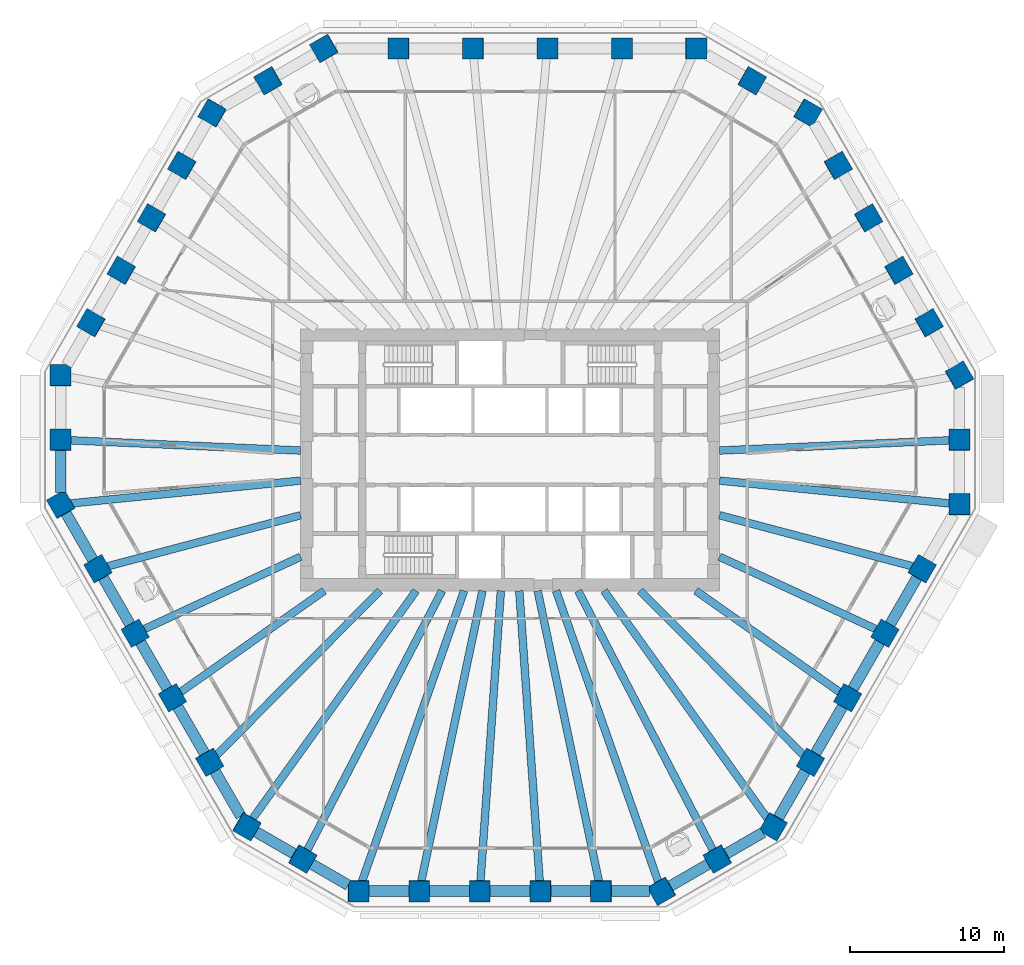
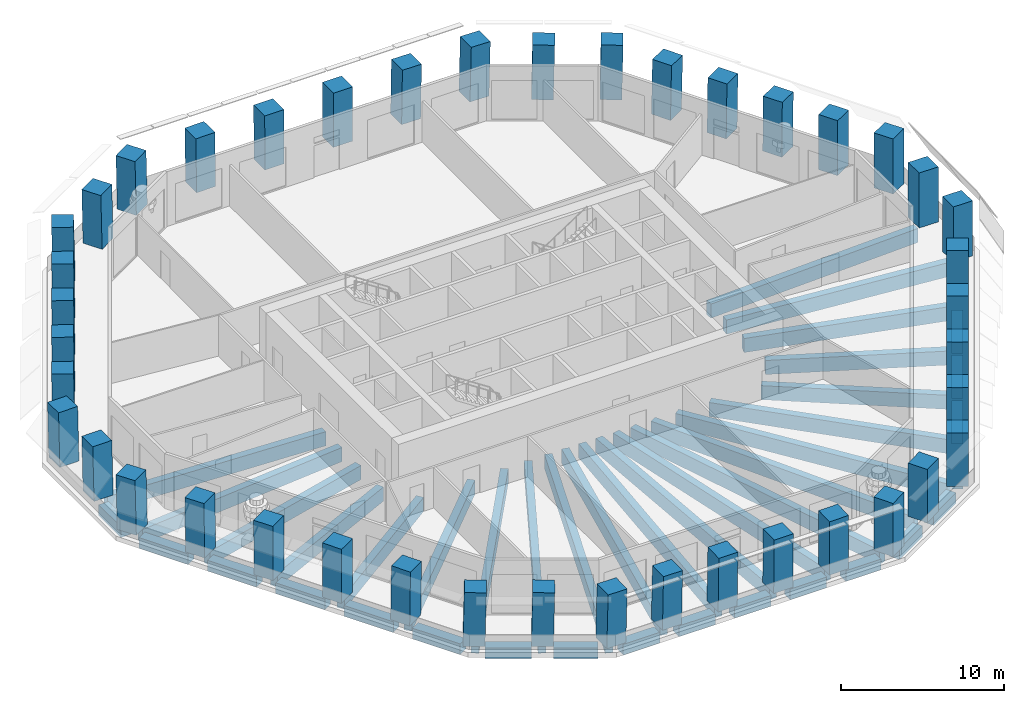
# One storey, part 1 of 12: 42 columns, 41 beams.
"""IFC4 building model written with IfcOpenShell, lengths in metres."""

from ifc_helpers import new_model, si_unit, direction, frame, origin, origin_2d, place, context, subcontext, project, spatial, rectangle, extrude, material, material_profile, profile_set, type_object, element, save


model = new_model("IFC4")

# Units and contexts
model_context = context("Model", 3, precision=1e-05, world=origin(), true_north=direction((0.0, 1.0)))
body_context = subcontext(model_context, "Body", "Model", "MODEL_VIEW")
ifc_project = project(units=[si_unit("LENGTHUNIT", "METRE"), si_unit("AREAUNIT", "SQUARE_METRE"), si_unit("VOLUMEUNIT", "CUBIC_METRE"), si_unit("PLANEANGLEUNIT", "RADIAN"), si_unit("MASSUNIT", "GRAM", prefix="KILO")], contexts=[model_context])

# Site, building, storey
site_placement = place(None, origin())
site = spatial("IfcSite", under=ifc_project, at=site_placement, CompositionType="ELEMENT")
building_placement = place(site_placement, origin())
building = spatial("IfcBuilding", under=site, at=building_placement, Name="Frailejon Research Tower", CompositionType="ELEMENT")
storey_placement = place(building_placement, frame((0.0, 0.0, 122.0)))
storey = spatial("IfcBuildingStorey", under=building, at=storey_placement, Name="L26", CompositionType="ELEMENT", Elevation=122.0)

# Columns
ifc_material_1 = material(Name="Concrete C70/85", Category="concrete")
ifc_material_profile_1 = material_profile(ifc_material_1, rectangle(XDim=1.35009765625, YDim=1.35009765625, at=origin_2d()), Name="Column 1350")
ifc_profile_set_1 = profile_set([ifc_material_profile_1], Name="Concrete C70/85")
column_type = type_object("IfcColumnType", Name="Column 1350", PredefinedType="COLUMN", material=ifc_profile_set_1)
for number, where, z_axis, x_axis, name in (
    (1, (29.160400390625, -2.892822265625, 0.0), (0.011510585918, 0.020007929448, 0.99973355909), (-0.001710817984, 0.999798725523, -0.019989535876), "Column C01"),
    (2, (29.160400390625, 1.294921875, 0.0), (0.011510599776, 0.019947688617, 0.99973476273), (-0.00040567385, 0.999801009574, -0.019944339651), "Column C02"),
    (3, (29.160400390625, 5.482421875, 0.0), (0.011510599776, 0.019947688617, 0.99973476273), (-0.500318158141, 0.865765075551, -0.011514104033), "Column C03"),
    (4, (27.19384765625, 8.88818359375, 0.0), (0.013861495168, 0.016031120499, 0.999775405842), (-0.500303350295, 0.865822326408, -0.006946709763), "Column C04"),
):
    element("IfcColumn", number, at=place(storey_placement, frame(where, z_axis=z_axis, x_axis=x_axis)), inside=storey, type_object=column_type, Name=name, PredefinedType="COLUMN", context=body_context, shape_type="SweptSolid", body=[
        extrude(rectangle(XDim=1.35009765625, YDim=1.35009765625, at=origin_2d()), origin(), (0.0, 0.0, 1.0), 4.051025390625),
    ])
for number, where, z_axis, x_axis, name in (
    (5, (25.227294921875, 12.29443359375, 0.0), (0.016152014019, 0.011993473096, 0.999797614043), (-0.4999954577, 0.866024942321, -0.002311180955), "Column C05"),
    (6, (23.260986328125, 15.700439453125, 0.0), (0.018442228312, 0.008015739756, 0.999797795622), (-0.50118016697, 0.865339885801, 0.002307006226), "Column C06"),
):
    element("IfcColumn", number, at=place(storey_placement, frame(where, z_axis=z_axis, x_axis=x_axis)), inside=storey, type_object=column_type, Name=name, PredefinedType="COLUMN", context=body_context, shape_type="SweptSolid", body=[
        extrude(rectangle(XDim=1.35009765625, YDim=1.35009765625, at=origin_2d()), origin(), (0.0, 0.0, 1.0), 4.05078125),
    ])
for number, where, z_axis, x_axis, name in (
    (7, (21.29443359375, 19.1064453125, 0.0), (0.020792253136, 0.003977648426, 0.999775905152), (-0.49881934315, 0.86667831192, 0.006925788462), "Column C07"),
    (8, (19.327880859375, 22.512451171875, 0.0), (0.023081437353, 0.0, 0.999733588137), (-0.865737098078, 0.500099755648, 0.019987781576), "Column C08"),
    (9, (15.701416015625, 24.606201171875, 0.0), (0.023081437353, 0.0, 0.999733588137), (-0.865737098078, 0.500099755648, 0.019987781576), "Column C09"),
    (10, (12.074951171875, 26.699951171875, 0.0), (0.023081437353, 0.0, 0.999733588137), (-0.999733588137, 0.0, 0.023081437353), "Column C10"),
):
    element("IfcColumn", number, at=place(storey_placement, frame(where, z_axis=z_axis, x_axis=x_axis)), inside=storey, type_object=column_type, Name=name, PredefinedType="COLUMN", context=body_context, shape_type="SweptSolid", body=[
        extrude(rectangle(XDim=1.35009765625, YDim=1.35009765625, at=origin_2d()), origin(), (0.0, 0.0, 1.0), 4.051025390625),
    ])
column_1_placement = place(storey_placement, frame((7.2451171875, 26.699951171875, 0.0), z_axis=(0.013803013084, 0.0, 0.999904733877), x_axis=(-0.999904733877, 0.0, 0.013803013084)))
element("IfcColumn", 11, at=column_1_placement, inside=storey, type_object=column_type, Name="Column C11", PredefinedType="COLUMN", context=body_context, shape_type="SweptSolid", body=[
    extrude(rectangle(XDim=1.35009765625, YDim=1.35009765625, at=origin_2d()), origin(), (0.0, 0.0, 1.0), 4.050537109375),
])
for number, where, z_axis, x_axis, name in (
    (12, (2.4150390625, 26.699951171875, 0.0), (0.004581301009, 0.0, 0.999989505785), (-0.999989505785, 0.0, 0.004581301009), "Column C12"),
    (13, (-2.4150390625, 26.699951171875, 0.0), (-0.004581301009, 0.0, 0.999989505785), (-0.999989505785, 0.0, -0.004581301009), "Column C13"),
):
    element("IfcColumn", number, at=place(storey_placement, frame(where, z_axis=z_axis, x_axis=x_axis)), inside=storey, type_object=column_type, Name=name, PredefinedType="COLUMN", context=body_context, shape_type="SweptSolid", body=[
        extrude(rectangle(XDim=1.35009765625, YDim=1.35009765625, at=origin_2d()), origin(), (0.0, 0.0, 1.0), 4.050048828125),
    ])
column_2_placement = place(storey_placement, frame((-7.2451171875, 26.699951171875, 0.0), z_axis=(-0.013803013084, 0.0, 0.999904733877), x_axis=(-0.999904733877, 0.0, -0.013803013084)))
element("IfcColumn", 14, at=column_2_placement, inside=storey, type_object=column_type, Name="Column C14", PredefinedType="COLUMN", context=body_context, shape_type="SweptSolid", body=[
    extrude(rectangle(XDim=1.35009765625, YDim=1.35009765625, at=origin_2d()), origin(), (0.0, 0.0, 1.0), 4.050537109375),
])
for number, where, z_axis, x_axis, name in (
    (15, (-12.074951171875, 26.699951171875, 0.0), (-0.023081437353, 0.0, 0.999733588137), (-0.865737098078, -0.500099755648, -0.019987781576), "Column C15"),
    (16, (-15.701416015625, 24.606201171875, 0.0), (-0.023081437353, 0.0, 0.999733588137), (-0.865737098078, -0.500099755648, -0.019987781576), "Column C16"),
    (17, (-19.327880859375, 22.512451171875, 0.0), (-0.023081437353, 0.0, 0.999733588137), (-0.499767058364, -0.866082993904, -0.01153841602), "Column C17"),
    (18, (-21.29443359375, 19.1064453125, 0.0), (-0.020792253136, 0.003977648426, 0.999775905152), (-0.49881934315, -0.86667831192, -0.006925788462), "Column C18"),
):
    element("IfcColumn", number, at=place(storey_placement, frame(where, z_axis=z_axis, x_axis=x_axis)), inside=storey, type_object=column_type, Name=name, PredefinedType="COLUMN", context=body_context, shape_type="SweptSolid", body=[
        extrude(rectangle(XDim=1.35009765625, YDim=1.35009765625, at=origin_2d()), origin(), (0.0, 0.0, 1.0), 4.051025390625),
    ])
for number, where, z_axis, x_axis, name in (
    (19, (-23.260986328125, 15.700439453125, 0.0), (-0.018442228312, 0.008015739756, 0.999797795622), (-0.50118016697, -0.865339885801, -0.002307006226), "Column C19"),
    (20, (-25.227294921875, 12.29443359375, 0.0), (-0.016152014019, 0.011993473096, 0.999797614043), (-0.4999954577, -0.866024942321, 0.002311180955), "Column C20"),
):
    element("IfcColumn", number, at=place(storey_placement, frame(where, z_axis=z_axis, x_axis=x_axis)), inside=storey, type_object=column_type, Name=name, PredefinedType="COLUMN", context=body_context, shape_type="SweptSolid", body=[
        extrude(rectangle(XDim=1.35009765625, YDim=1.35009765625, at=origin_2d()), origin(), (0.0, 0.0, 1.0), 4.05078125),
    ])
for number, where, z_axis, x_axis, name in (
    (21, (-27.19384765625, 8.88818359375, 0.0), (-0.013861495168, 0.016031120499, 0.999775405842), (-0.500303350295, -0.865822326408, 0.006946709763), "Column C21"),
    (22, (-29.160400390625, 5.482421875, 0.0), (-0.011510599776, 0.019947688617, 0.99973476273), (-0.00040567385, -0.999801009574, 0.019944339651), "Column C22"),
    (23, (-29.160400390625, 1.294921875, 0.0), (-0.011510599776, 0.019947688617, 0.99973476273), (-0.00040567385, -0.999801009574, 0.019944339651), "Column C23"),
    (24, (-29.160400390625, -2.892822265625, 0.0), (-0.011510585918, 0.020007929448, 0.99973355909), (0.498584379336, -0.866533788063, 0.023082695406), "Column C24"),
):
    element("IfcColumn", number, at=place(storey_placement, frame(where, z_axis=z_axis, x_axis=x_axis)), inside=storey, type_object=column_type, Name=name, PredefinedType="COLUMN", context=body_context, shape_type="SweptSolid", body=[
        extrude(rectangle(XDim=1.35009765625, YDim=1.35009765625, at=origin_2d()), origin(), (0.0, 0.0, 1.0), 4.051025390625),
    ])
column_3_placement = place(storey_placement, frame((-26.745361328125, -7.07568359375, 0.0), z_axis=(-0.006931639278, 0.011994749706, 0.999904034574), x_axis=(0.501336845051, -0.865141286973, 0.013853568828)))
element("IfcColumn", 25, at=column_3_placement, inside=storey, type_object=column_type, Name="Column C25", PredefinedType="COLUMN", context=body_context, shape_type="SweptSolid", body=[
    extrude(rectangle(XDim=1.35009765625, YDim=1.35009765625, at=origin_2d()), origin(), (0.0, 0.0, 1.0), 4.050537109375),
])
for number, where, z_axis, x_axis, name in (
    (26, (-24.330322265625, -11.258544921875, 0.0), (-0.002290650405, 0.003978498071, 0.999989462181), (0.501227796916, -0.865303195543, 0.004590793127), "Column C26"),
    (27, (-21.915283203125, -15.44140625, 0.0), (0.002290650405, -0.003978498071, 0.999989462181), (0.497533699037, -0.86743250046, -0.004590802676), "Column C27"),
):
    element("IfcColumn", number, at=place(storey_placement, frame(where, z_axis=z_axis, x_axis=x_axis)), inside=storey, type_object=column_type, Name=name, PredefinedType="COLUMN", context=body_context, shape_type="SweptSolid", body=[
        extrude(rectangle(XDim=1.35009765625, YDim=1.35009765625, at=origin_2d()), origin(), (0.0, 0.0, 1.0), 4.050048828125),
    ])
column_4_placement = place(storey_placement, frame((-19.50048828125, -19.624267578125, 0.0), z_axis=(0.006931639278, -0.011994749706, 0.999904034574), x_axis=(0.500107116888, -0.865852729975, -0.013853578378)))
element("IfcColumn", 28, at=column_4_placement, inside=storey, type_object=column_type, Name="Column C28", PredefinedType="COLUMN", context=body_context, shape_type="SweptSolid", body=[
    extrude(rectangle(XDim=1.35009765625, YDim=1.35009765625, at=origin_2d()), origin(), (0.0, 0.0, 1.0), 4.050537109375),
])
for number, where, z_axis, x_axis, name in (
    (29, (-17.08544921875, -23.80712890625, 0.0), (0.011570842718, -0.020007915533, 0.999732863777), (0.866356612801, -0.499024697371, -0.020014266634), "Column C29"),
    (30, (-13.458984375, -25.90087890625, 0.0), (0.011570842718, -0.020007915533, 0.999732863777), (0.866356612801, -0.499024697371, -0.020014266634), "Column C30"),
    (31, (-9.832275390625, -27.994873046875, 0.0), (0.011570856649, -0.019947674743, 0.999734067414), (0.999930876531, 0.002317998362, -0.011526883527), "Column C31"),
    (32, (-5.8994140625, -27.994873046875, 0.0), (0.006930758535, -0.019948531086, 0.999776985479), (0.999975700355, 0.000888653495, -0.0069144048), "Column C32"),
):
    element("IfcColumn", number, at=place(storey_placement, frame(where, z_axis=z_axis, x_axis=x_axis)), inside=storey, type_object=column_type, Name=name, PredefinedType="COLUMN", context=body_context, shape_type="SweptSolid", body=[
        extrude(rectangle(XDim=1.35009765625, YDim=1.35009765625, at=origin_2d()), origin(), (0.0, 0.0, 1.0), 4.051025390625),
    ])
for number, where, z_axis, x_axis, name in (
    (33, (-1.966552734375, -27.994873046875, 0.0), (0.002350481116, -0.019948955115, 0.99979823686), (0.999995453304, 0.001935595242, -0.002312323868), "Column C33"),
    (34, (1.966552734375, -27.994873046875, 0.0), (-0.002350481116, -0.019948955115, 0.99979823686), (0.999995453304, -0.001935595242, 0.002312323868), "Column C34"),
):
    element("IfcColumn", number, at=place(storey_placement, frame(where, z_axis=z_axis, x_axis=x_axis)), inside=storey, type_object=column_type, Name=name, PredefinedType="COLUMN", context=body_context, shape_type="SweptSolid", body=[
        extrude(rectangle(XDim=1.35009765625, YDim=1.35009765625, at=origin_2d()), origin(), (0.0, 0.0, 1.0), 4.05078125),
    ])
for number, where, z_axis, x_axis, name in (
    (35, (5.8994140625, -27.994873046875, 0.0), (-0.006930758535, -0.019948531086, 0.999776985479), (0.999975700355, -0.000888653495, 0.0069144048), "Column C35"),
    (36, (9.832275390625, -27.994873046875, 0.0), (-0.011570856649, -0.019947674743, 0.999734067414), (0.867009264808, 0.497891723654, 0.01996913252), "Column C36"),
    (37, (13.458984375, -25.90087890625, 0.0), (-0.011570842718, -0.020007915533, 0.999732863777), (0.866356612801, 0.499024697371, 0.020014266634), "Column C37"),
    (38, (17.08544921875, -23.80712890625, 0.0), (-0.011570842718, -0.020007915533, 0.999732863777), (0.500541207929, 0.865404124142, 0.023112790472), "Column C38"),
):
    element("IfcColumn", number, at=place(storey_placement, frame(where, z_axis=z_axis, x_axis=x_axis)), inside=storey, type_object=column_type, Name=name, PredefinedType="COLUMN", context=body_context, shape_type="SweptSolid", body=[
        extrude(rectangle(XDim=1.35009765625, YDim=1.35009765625, at=origin_2d()), origin(), (0.0, 0.0, 1.0), 4.051025390625),
    ])
column_5_placement = place(storey_placement, frame((19.50048828125, -19.624267578125, 0.0), z_axis=(-0.006931639278, -0.011994749706, 0.999904034574), x_axis=(0.500107116888, 0.865852729975, 0.013853578378)))
element("IfcColumn", 39, at=column_5_placement, inside=storey, type_object=column_type, Name="Column C39", PredefinedType="COLUMN", context=body_context, shape_type="SweptSolid", body=[
    extrude(rectangle(XDim=1.35009765625, YDim=1.35009765625, at=origin_2d()), origin(), (0.0, 0.0, 1.0), 4.050537109375),
])
for number, where, z_axis, x_axis, name in (
    (40, (21.915283203125, -15.44140625, 0.0), (-0.002290650405, -0.003978498071, 0.999989462181), (0.497533699037, 0.86743250046, 0.004590802676), "Column C40"),
    (41, (24.330322265625, -11.258544921875, 0.0), (0.002290650405, 0.003978498071, 0.999989462181), (0.501227796916, 0.865303195543, -0.004590793127), "Column C41"),
):
    element("IfcColumn", number, at=place(storey_placement, frame(where, z_axis=z_axis, x_axis=x_axis)), inside=storey, type_object=column_type, Name=name, PredefinedType="COLUMN", context=body_context, shape_type="SweptSolid", body=[
        extrude(rectangle(XDim=1.35009765625, YDim=1.35009765625, at=origin_2d()), origin(), (0.0, 0.0, 1.0), 4.050048828125),
    ])
column_6_placement = place(storey_placement, frame((26.745361328125, -7.07568359375, 0.0), z_axis=(0.006931639278, 0.011994749706, 0.999904034574), x_axis=(0.501336845051, 0.865141286973, -0.013853568828)))
element("IfcColumn", 42, at=column_6_placement, inside=storey, type_object=column_type, Name="Column C42", PredefinedType="COLUMN", context=body_context, shape_type="SweptSolid", body=[
    extrude(rectangle(XDim=1.35009765625, YDim=1.35009765625, at=origin_2d()), origin(), (0.0, 0.0, 1.0), 4.050537109375),
])

# Beams
ifc_material_2 = material(Name="Concrete C60/75", Category="concrete")
ifc_material_profile_2 = material_profile(ifc_material_2, rectangle(XDim=0.5, YDim=1.050048828125, at=origin_2d()), Name="Girder 500x1050")
ifc_profile_set_2 = profile_set([ifc_material_profile_2], Name="Concrete C60/75")
beam_type_1 = type_object("IfcBeamType", Name="Girder 500x1050", PredefinedType="BEAM", material=ifc_profile_set_2)
beam_1_placement = place(storey_placement, frame((28.634521484375, -2.840576171875, -0.824951171875), z_axis=(-0.995115437462, 0.098718114474, 0.0), x_axis=(-0.098718114474, -0.995115437462, 0.0)))
element("IfcBeam", 43, at=beam_1_placement, inside=storey, type_object=beam_type_1, Name="Girder 500x1050", PredefinedType="BEAM", context=body_context, shape_type="SweptSolid", body=[
    extrude(rectangle(XDim=0.5, YDim=1.050048828125, at=origin_2d()), origin(), (0.0, 0.0, 1.0), 15.108154296875),
])
for number, where, z_axis, x_axis, name in (
    (44, (28.63525390625, 1.271484375, -0.824951171875), (-0.999016011873, -0.044350964154, 0.0), (0.044350964154, -0.999016011873, 0.0), "Girder 500x1050"),
    (45, (-28.63525390625, 1.271484375, -0.824951171875), (0.999016011873, -0.044350964154, 0.0), (0.044350964154, 0.999016011873, 0.0), "Girder 500x1050"),
):
    element("IfcBeam", number, at=place(storey_placement, frame(where, z_axis=z_axis, x_axis=x_axis)), inside=storey, type_object=beam_type_1, Name=name, PredefinedType="BEAM", context=body_context, shape_type="SweptSolid", body=[
        extrude(rectangle(XDim=0.5, YDim=1.050048828125, at=origin_2d()), origin(), (0.0, 0.0, 1.0), 15.050048828125),
    ])
beam_2_placement = place(storey_placement, frame((-28.572509765625, -2.83447265625, -0.824951171875), z_axis=(0.995115122671, 0.098721287628, 0.0), x_axis=(-0.098721287628, 0.995115122671, 0.0)))
element("IfcBeam", 46, at=beam_2_placement, inside=storey, type_object=beam_type_1, Name="Girder 500x1050", PredefinedType="BEAM", context=body_context, shape_type="SweptSolid", body=[
    extrude(rectangle(XDim=0.5, YDim=1.050048828125, at=origin_2d()), origin(), (0.0, 0.0, 1.0), 15.0458984375),
])
beam_3_placement = place(storey_placement, frame((-26.21435546875, -6.935302734375, -0.824951171875), z_axis=(0.966736803064, 0.255773246456, 0.0), x_axis=(-0.255773246456, 0.966736803064, 0.0)))
element("IfcBeam", 47, at=beam_3_placement, inside=storey, type_object=beam_type_1, Name="Girder 500x1050", PredefinedType="BEAM", context=body_context, shape_type="SweptSolid", body=[
    extrude(rectangle(XDim=0.5, YDim=1.050048828125, at=origin_2d()), origin(), (0.0, 0.0, 1.0), 13.04833984375),
])
beam_4_placement = place(storey_placement, frame((-23.851318359375, -11.037109375, -0.824951171875), z_axis=(0.907535715602, 0.419974909854, 0.0), x_axis=(-0.419974909854, 0.907535715602, 0.0)))
element("IfcBeam", 48, at=beam_4_placement, inside=storey, type_object=beam_type_1, Name="Girder 500x1050", PredefinedType="BEAM", context=body_context, shape_type="SweptSolid", body=[
    extrude(rectangle(XDim=0.5, YDim=1.050048828125, at=origin_2d()), origin(), (0.0, 0.0, 1.0), 11.295654296875),
])
beam_5_placement = place(storey_placement, frame((-21.48388671875, -15.137451171875, -0.824951171875), z_axis=(0.817461348978, 0.575983457164, 0.0), x_axis=(-0.575983457164, 0.817461348978, 0.0)))
element("IfcBeam", 49, at=beam_5_placement, inside=storey, type_object=beam_type_1, Name="Girder 500x1050", PredefinedType="BEAM", context=body_context, shape_type="SweptSolid", body=[
    extrude(rectangle(XDim=0.5, YDim=1.050048828125, at=origin_2d()), origin(), (0.0, 0.0, 1.0), 11.523681640625),
])
beam_6_placement = place(storey_placement, frame((-19.113037109375, -19.234619140625, -0.824951171875), z_axis=(0.704860757928, 0.709345692828, 0.0), x_axis=(-0.709345692828, 0.704860757928, 0.0)))
element("IfcBeam", 50, at=beam_6_placement, inside=storey, type_object=beam_type_1, Name="Girder 500x1050", PredefinedType="BEAM", context=body_context, shape_type="SweptSolid", body=[
    extrude(rectangle(XDim=0.5, YDim=1.050048828125, at=origin_2d()), origin(), (0.0, 0.0, 1.0), 15.133056640625),
])
beam_7_placement = place(storey_placement, frame((-16.77734375, -23.3779296875, -0.824951171875), z_axis=(0.583050227004, 0.812436109975, 0.0), x_axis=(-0.812436109975, 0.583050227004, 0.0)))
element("IfcBeam", 51, at=beam_7_placement, inside=storey, type_object=beam_type_1, Name="Girder 500x1050", PredefinedType="BEAM", context=body_context, shape_type="SweptSolid", body=[
    extrude(rectangle(XDim=0.5, YDim=1.050048828125, at=origin_2d()), origin(), (0.0, 0.0, 1.0), 18.312744140625),
])
beam_8_placement = place(storey_placement, frame((-13.216552734375, -25.4345703125, -0.824951171875), z_axis=(0.461098153651, 0.887349137994, 0.0), x_axis=(-0.887349137994, 0.461098153651, 0.0)))
element("IfcBeam", 52, at=beam_8_placement, inside=storey, type_object=beam_type_1, Name="Girder 500x1050", PredefinedType="BEAM", context=body_context, shape_type="SweptSolid", body=[
    extrude(rectangle(XDim=0.5, YDim=1.050048828125, at=origin_2d()), origin(), (0.0, 0.0, 1.0), 19.08447265625),
])
beam_9_placement = place(storey_placement, frame((-9.64501953125, -27.461181640625, -0.824951171875), z_axis=(0.331381073753, 0.943496997324, 0.0), x_axis=(-0.943496997324, 0.331381073753, 0.0)))
element("IfcBeam", 53, at=beam_9_placement, inside=storey, type_object=beam_type_1, Name="Girder 500x1050", PredefinedType="BEAM", context=body_context, shape_type="SweptSolid", body=[
    extrude(rectangle(XDim=0.5, YDim=1.050048828125, at=origin_2d()), origin(), (0.0, 0.0, 1.0), 20.0966796875),
])
beam_10_placement = place(storey_placement, frame((-5.7880859375, -27.466552734375, -0.824951171875), z_axis=(0.206201548423, 0.978509540796, 0.0), x_axis=(-0.978509540796, 0.206201548423, 0.0)))
element("IfcBeam", 54, at=beam_10_placement, inside=storey, type_object=beam_type_1, Name="Girder 500x1050", PredefinedType="BEAM", context=body_context, shape_type="SweptSolid", body=[
    extrude(rectangle(XDim=0.5, YDim=1.050048828125, at=origin_2d()), origin(), (0.0, 0.0, 1.0), 19.383056640625),
])
for number, where, z_axis, x_axis, name in (
    (55, (-1.9296875, -27.469482421875, -0.824951171875), (0.070072762793, 0.997541882787, 0.0), (-0.997541882787, 0.070072762793, 0.0), "Girder 500x1050"),
    (56, (1.9296875, -27.469482421875, -0.824951171875), (-0.070072762793, 0.997541882787, 0.0), (-0.997541882787, -0.070072762793, 0.0), "Girder 500x1050"),
):
    element("IfcBeam", number, at=place(storey_placement, frame(where, z_axis=z_axis, x_axis=x_axis)), inside=storey, type_object=beam_type_1, Name=name, PredefinedType="BEAM", context=body_context, shape_type="SweptSolid", body=[
        extrude(rectangle(XDim=0.5, YDim=1.050048828125, at=origin_2d()), origin(), (0.0, 0.0, 1.0), 19.01611328125),
    ])
beam_11_placement = place(storey_placement, frame((5.7880859375, -27.466552734375, -0.824951171875), z_axis=(-0.206201548423, 0.978509540796, 0.0), x_axis=(-0.978509540796, -0.206201548423, 0.0)))
element("IfcBeam", 57, at=beam_11_placement, inside=storey, type_object=beam_type_1, Name="Girder 500x1050", PredefinedType="BEAM", context=body_context, shape_type="SweptSolid", body=[
    extrude(rectangle(XDim=0.5, YDim=1.050048828125, at=origin_2d()), origin(), (0.0, 0.0, 1.0), 19.383056640625),
])
beam_12_placement = place(storey_placement, frame((9.654296875, -27.48828125, -0.824951171875), z_axis=(-0.331370424627, 0.94350073751, 0.0), x_axis=(-0.94350073751, -0.331370424627, 0.0)))
element("IfcBeam", 58, at=beam_12_placement, inside=storey, type_object=beam_type_1, Name="Girder 500x1050", PredefinedType="BEAM", context=body_context, shape_type="SweptSolid", body=[
    extrude(rectangle(XDim=0.5, YDim=1.050048828125, at=origin_2d()), origin(), (0.0, 0.0, 1.0), 20.125244140625),
])
beam_13_placement = place(storey_placement, frame((13.216552734375, -25.4345703125, -0.824951171875), z_axis=(-0.461098153651, 0.887349137994, 0.0), x_axis=(-0.887349137994, -0.461098153651, 0.0)))
element("IfcBeam", 59, at=beam_13_placement, inside=storey, type_object=beam_type_1, Name="Girder 500x1050", PredefinedType="BEAM", context=body_context, shape_type="SweptSolid", body=[
    extrude(rectangle(XDim=0.5, YDim=1.050048828125, at=origin_2d()), origin(), (0.0, 0.0, 1.0), 19.08447265625),
])
beam_14_placement = place(storey_placement, frame((16.740966796875, -23.3271484375, -0.824951171875), z_axis=(-0.58305263396, 0.812434382601, 0.0), x_axis=(-0.812434382601, -0.58305263396, 0.0)))
element("IfcBeam", 60, at=beam_14_placement, inside=storey, type_object=beam_type_1, Name="Girder 500x1050", PredefinedType="BEAM", context=body_context, shape_type="SweptSolid", body=[
    extrude(rectangle(XDim=0.5, YDim=1.050048828125, at=origin_2d()), origin(), (0.0, 0.0, 1.0), 18.250244140625),
])
beam_15_placement = place(storey_placement, frame((19.113037109375, -19.234619140625, -0.824951171875), z_axis=(-0.704860757928, 0.709345692828, 0.0), x_axis=(-0.709345692828, -0.704860757928, 0.0)))
element("IfcBeam", 61, at=beam_15_placement, inside=storey, type_object=beam_type_1, Name="Girder 500x1050", PredefinedType="BEAM", context=body_context, shape_type="SweptSolid", body=[
    extrude(rectangle(XDim=0.5, YDim=1.050048828125, at=origin_2d()), origin(), (0.0, 0.0, 1.0), 15.133056640625),
])
beam_16_placement = place(storey_placement, frame((21.48388671875, -15.137451171875, -0.824951171875), z_axis=(-0.817461348978, 0.575983457164, 0.0), x_axis=(-0.575983457164, -0.817461348978, 0.0)))
element("IfcBeam", 62, at=beam_16_placement, inside=storey, type_object=beam_type_1, Name="Girder 500x1050", PredefinedType="BEAM", context=body_context, shape_type="SweptSolid", body=[
    extrude(rectangle(XDim=0.5, YDim=1.050048828125, at=origin_2d()), origin(), (0.0, 0.0, 1.0), 11.523681640625),
])
beam_17_placement = place(storey_placement, frame((23.851318359375, -11.037109375, -0.824951171875), z_axis=(-0.907535715602, 0.419974909854, 0.0), x_axis=(-0.419974909854, -0.907535715602, 0.0)))
element("IfcBeam", 63, at=beam_17_placement, inside=storey, type_object=beam_type_1, Name="Girder 500x1050", PredefinedType="BEAM", context=body_context, shape_type="SweptSolid", body=[
    extrude(rectangle(XDim=0.5, YDim=1.050048828125, at=origin_2d()), origin(), (0.0, 0.0, 1.0), 11.295654296875),
])
beam_18_placement = place(storey_placement, frame((26.21435546875, -6.935302734375, -0.824951171875), z_axis=(-0.966736803064, 0.255773246456, 0.0), x_axis=(-0.255773246456, -0.966736803064, 0.0)))
element("IfcBeam", 64, at=beam_18_placement, inside=storey, type_object=beam_type_1, Name="Girder 500x1050", PredefinedType="BEAM", context=body_context, shape_type="SweptSolid", body=[
    extrude(rectangle(XDim=0.5, YDim=1.050048828125, at=origin_2d()), origin(), (0.0, 0.0, 1.0), 13.04833984375),
])
ifc_material_3 = material(Name="Concrete C60/75", Category="concrete")
ifc_material_profile_3 = material_profile(ifc_material_3, rectangle(XDim=0.699951171875, YDim=0.800048828125, at=origin_2d()), Name="Spandrel 700x800")
ifc_profile_set_3 = profile_set([ifc_material_profile_3], Name="Concrete C60/75")
beam_type_2 = type_object("IfcBeamType", Name="Spandrel 700x800", PredefinedType="BEAM", material=ifc_profile_set_3)
beam_19_placement = place(storey_placement, frame((-29.160400390625, 0.619873046875, -0.75), z_axis=(0.0, -1.0, 0.0), x_axis=(1.0, 0.0, 0.0)))
element("IfcBeam", 65, at=beam_19_placement, inside=storey, type_object=beam_type_2, Name="Spandrel 700x800", PredefinedType="BEAM", context=body_context, shape_type="SweptSolid", body=[
    extrude(rectangle(XDim=0.699951171875, YDim=0.800048828125, at=origin_2d()), origin(), (0.0, 0.0, 1.0), 2.733154296875),
])
for number, where, z_axis, x_axis, name in (
    (66, (-28.82275390625, -3.477294921875, -0.75), (0.499926910052, -0.866067598174, 0.0), (0.866067598174, 0.499926910052, 0.0), "Spandrel 700x800"),
    (67, (-26.407958984375, -7.660400390625, -0.75), (0.500009906705, -0.86601968407, 0.0), (0.86601968407, 0.500009906705, 0.0), "Spandrel 700x800"),
):
    element("IfcBeam", number, at=place(storey_placement, frame(where, z_axis=z_axis, x_axis=x_axis)), inside=storey, type_object=beam_type_2, Name=name, PredefinedType="BEAM", context=body_context, shape_type="SweptSolid", body=[
        extrude(rectangle(XDim=0.699951171875, YDim=0.800048828125, at=origin_2d()), origin(), (0.0, 0.0, 1.0), 3.47998046875),
    ])
beam_20_placement = place(storey_placement, frame((-23.992919921875, -11.84326171875, -0.75), z_axis=(0.500040287575, -0.866002142492, 0.0), x_axis=(0.866002142492, 0.500040287575, 0.0)))
element("IfcBeam", 68, at=beam_20_placement, inside=storey, type_object=beam_type_2, Name="Spandrel 700x800", PredefinedType="BEAM", context=body_context, shape_type="SweptSolid", body=[
    extrude(rectangle(XDim=0.699951171875, YDim=0.800048828125, at=origin_2d()), origin(), (0.0, 0.0, 1.0), 3.479736328125),
])
beam_21_placement = place(storey_placement, frame((-21.577880859375, -16.02587890625, -0.75), z_axis=(0.499979528911, -0.866037222451, 0.0), x_axis=(0.866037222451, 0.499979528911, 0.0)))
element("IfcBeam", 69, at=beam_21_placement, inside=storey, type_object=beam_type_2, Name="Spandrel 700x800", PredefinedType="BEAM", context=body_context, shape_type="SweptSolid", body=[
    extrude(rectangle(XDim=0.699951171875, YDim=0.800048828125, at=origin_2d()), origin(), (0.0, 0.0, 1.0), 3.480224609375),
])
beam_22_placement = place(storey_placement, frame((-19.162841796875, -20.208984375, -0.75), z_axis=(0.500020897606, -0.86601333821, 0.0), x_axis=(0.86601333821, 0.500020897606, 0.0)))
element("IfcBeam", 70, at=beam_22_placement, inside=storey, type_object=beam_type_2, Name="Spandrel 700x800", PredefinedType="BEAM", context=body_context, shape_type="SweptSolid", body=[
    extrude(rectangle(XDim=0.699951171875, YDim=0.800048828125, at=origin_2d()), origin(), (0.0, 0.0, 1.0), 3.375244140625),
])
beam_23_placement = place(storey_placement, frame((-16.500732421875, -24.144775390625, -0.75), z_axis=(0.866026538634, -0.499998034377, 0.0), x_axis=(0.499998034377, 0.866026538634, 0.0)))
element("IfcBeam", 71, at=beam_23_placement, inside=storey, type_object=beam_type_2, Name="Spandrel 700x800", PredefinedType="BEAM", context=body_context, shape_type="SweptSolid", body=[
    extrude(rectangle(XDim=0.699951171875, YDim=0.800048828125, at=origin_2d()), origin(), (0.0, 0.0, 1.0), 2.83740234375),
])
beam_24_placement = place(storey_placement, frame((-12.874267578125, -26.238525390625, -0.75), z_axis=(0.866041295585, -0.499972473583, 0.0), x_axis=(0.499972473583, 0.866041295585, 0.0)))
element("IfcBeam", 72, at=beam_24_placement, inside=storey, type_object=beam_type_2, Name="Spandrel 700x800", PredefinedType="BEAM", context=body_context, shape_type="SweptSolid", body=[
    extrude(rectangle(XDim=0.699951171875, YDim=0.800048828125, at=origin_2d()), origin(), (0.0, 0.0, 1.0), 2.733154296875),
])
for number, where, z_axis, x_axis, name in (
    (73, (-9.1572265625, -27.994873046875, -0.75), (1.0, 0.0, 0.0), (0.0, 1.0, 0.0), "Spandrel 700x800"),
    (74, (-5.224365234375, -27.994873046875, -0.75), (1.0, 0.0, 0.0), (0.0, 1.0, 0.0), "Spandrel 700x800"),
):
    element("IfcBeam", number, at=place(storey_placement, frame(where, z_axis=z_axis, x_axis=x_axis)), inside=storey, type_object=beam_type_2, Name=name, PredefinedType="BEAM", context=body_context, shape_type="SweptSolid", body=[
        extrude(rectangle(XDim=0.699951171875, YDim=0.800048828125, at=origin_2d()), origin(), (0.0, 0.0, 1.0), 2.582763671875),
    ])
beam_25_placement = place(storey_placement, frame((-1.29150390625, -27.994873046875, -0.75), z_axis=(1.0, 0.0, 0.0), x_axis=(0.0, 1.0, 0.0)))
element("IfcBeam", 75, at=beam_25_placement, inside=storey, type_object=beam_type_2, Name="Spandrel 700x800", PredefinedType="BEAM", context=body_context, shape_type="SweptSolid", body=[
    extrude(rectangle(XDim=0.699951171875, YDim=0.800048828125, at=origin_2d()), origin(), (0.0, 0.0, 1.0), 2.5830078125),
])
beam_26_placement = place(storey_placement, frame((2.6416015625, -27.994873046875, -0.75), z_axis=(1.0, 0.0, 0.0), x_axis=(0.0, 1.0, 0.0)))
element("IfcBeam", 76, at=beam_26_placement, inside=storey, type_object=beam_type_2, Name="Spandrel 700x800", PredefinedType="BEAM", context=body_context, shape_type="SweptSolid", body=[
    extrude(rectangle(XDim=0.699951171875, YDim=0.800048828125, at=origin_2d()), origin(), (0.0, 0.0, 1.0), 2.582763671875),
])
beam_27_placement = place(storey_placement, frame((6.574462890625, -27.994873046875, -0.75), z_axis=(1.0, 0.0, 0.0), x_axis=(0.0, 1.0, 0.0)))
element("IfcBeam", 77, at=beam_27_placement, inside=storey, type_object=beam_type_2, Name="Spandrel 700x800", PredefinedType="BEAM", context=body_context, shape_type="SweptSolid", body=[
    extrude(rectangle(XDim=0.699951171875, YDim=0.800048828125, at=origin_2d()), origin(), (0.0, 0.0, 1.0), 2.478515625),
])
beam_28_placement = place(storey_placement, frame((10.4169921875, -27.6572265625, -0.75), z_axis=(0.866026538634, 0.499998034377, 0.0), x_axis=(-0.499998034377, 0.866026538634, 0.0)))
element("IfcBeam", 78, at=beam_28_placement, inside=storey, type_object=beam_type_2, Name="Spandrel 700x800", PredefinedType="BEAM", context=body_context, shape_type="SweptSolid", body=[
    extrude(rectangle(XDim=0.699951171875, YDim=0.800048828125, at=origin_2d()), origin(), (0.0, 0.0, 1.0), 2.83740234375),
])
beam_29_placement = place(storey_placement, frame((14.04345703125, -25.5634765625, -0.75), z_axis=(0.866041295585, 0.499972473583, 0.0), x_axis=(-0.499972473583, 0.866041295585, 0.0)))
element("IfcBeam", 79, at=beam_29_placement, inside=storey, type_object=beam_type_2, Name="Spandrel 700x800", PredefinedType="BEAM", context=body_context, shape_type="SweptSolid", body=[
    extrude(rectangle(XDim=0.699951171875, YDim=0.800048828125, at=origin_2d()), origin(), (0.0, 0.0, 1.0), 2.733154296875),
])
beam_30_placement = place(storey_placement, frame((17.4228515625, -23.22265625, -0.75), z_axis=(0.500009906705, 0.86601968407, 0.0), x_axis=(-0.86601968407, 0.500009906705, 0.0)))
element("IfcBeam", 80, at=beam_30_placement, inside=storey, type_object=beam_type_2, Name="Spandrel 700x800", PredefinedType="BEAM", context=body_context, shape_type="SweptSolid", body=[
    extrude(rectangle(XDim=0.699951171875, YDim=0.800048828125, at=origin_2d()), origin(), (0.0, 0.0, 1.0), 3.47998046875),
])
beam_31_placement = place(storey_placement, frame((19.837890625, -19.039794921875, -0.75), z_axis=(0.499979528911, 0.866037222451, 0.0), x_axis=(-0.866037222451, 0.499979528911, 0.0)))
element("IfcBeam", 81, at=beam_31_placement, inside=storey, type_object=beam_type_2, Name="Spandrel 700x800", PredefinedType="BEAM", context=body_context, shape_type="SweptSolid", body=[
    extrude(rectangle(XDim=0.699951171875, YDim=0.800048828125, at=origin_2d()), origin(), (0.0, 0.0, 1.0), 3.480224609375),
])
beam_32_placement = place(storey_placement, frame((22.2529296875, -14.856689453125, -0.75), z_axis=(0.500040287575, 0.866002142492, 0.0), x_axis=(-0.866002142492, 0.500040287575, 0.0)))
element("IfcBeam", 82, at=beam_32_placement, inside=storey, type_object=beam_type_2, Name="Spandrel 700x800", PredefinedType="BEAM", context=body_context, shape_type="SweptSolid", body=[
    extrude(rectangle(XDim=0.699951171875, YDim=0.800048828125, at=origin_2d()), origin(), (0.0, 0.0, 1.0), 3.479736328125),
])
beam_33_placement = place(storey_placement, frame((24.66796875, -10.674072265625, -0.75), z_axis=(0.500009906705, 0.86601968407, 0.0), x_axis=(-0.86601968407, 0.500009906705, 0.0)))
element("IfcBeam", 83, at=beam_33_placement, inside=storey, type_object=beam_type_2, Name="Spandrel 700x800", PredefinedType="BEAM", context=body_context, shape_type="SweptSolid", body=[
    extrude(rectangle(XDim=0.699951171875, YDim=0.800048828125, at=origin_2d()), origin(), (0.0, 0.0, 1.0), 3.47998046875),
])

save(model, "model.ifc")
